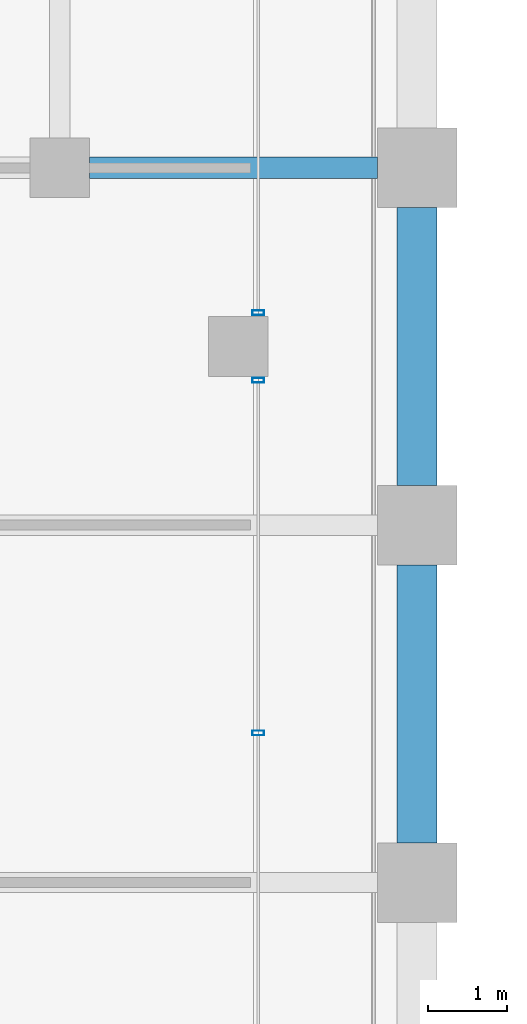
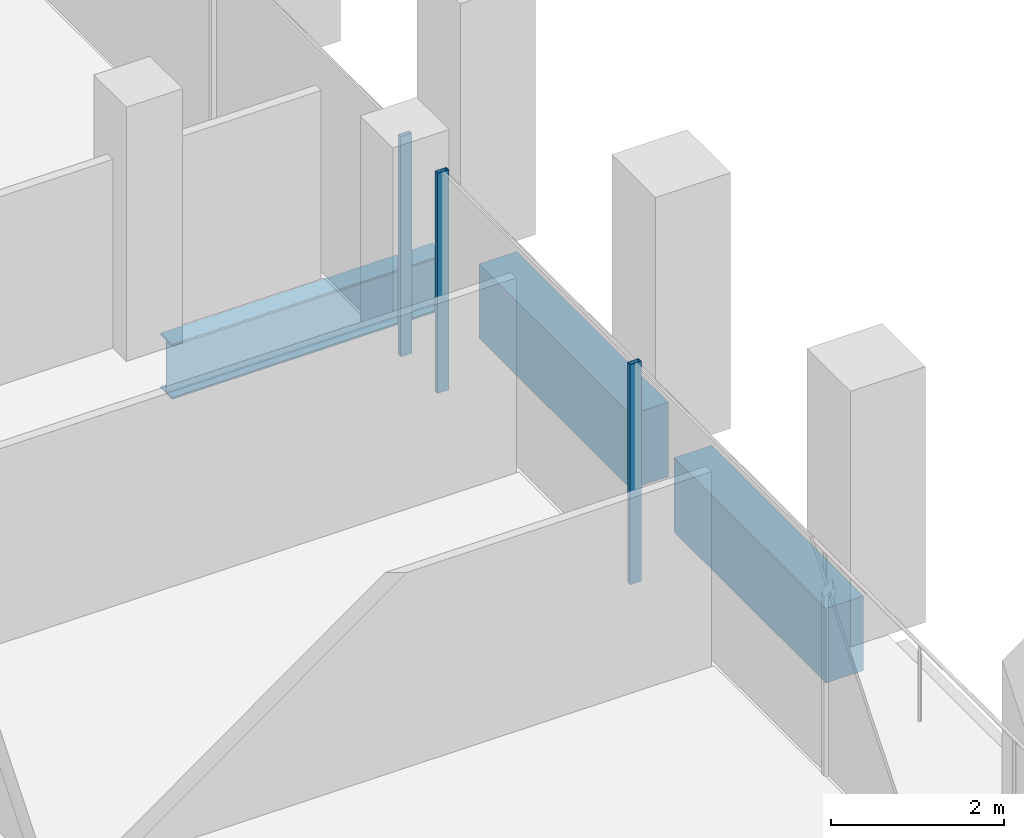
# One storey, part 19 of 47: 3 beams, 3 members, 2 elements without a shape of their own.
"""IFC4 building model written with IfcOpenShell, lengths in metres."""

from ifc_helpers import new_model, si_unit, direction, frame, origin, origin_2d, place, context, subcontext, project, spatial, rectangle, hollow_rectangle, i_section, extrude, material, material_profile, profile_set, type_object, element, aggregate, save


model = new_model("IFC4")

# Units and contexts
model_context = context("Model", 3, precision=1e-05, world=origin(), true_north=direction((0.0, 1.0)))
body_context = subcontext(model_context, "Body", "Model", "MODEL_VIEW")
ifc_project = project(units=[si_unit("LENGTHUNIT", "METRE"), si_unit("AREAUNIT", "SQUARE_METRE"), si_unit("VOLUMEUNIT", "CUBIC_METRE"), si_unit("PLANEANGLEUNIT", "RADIAN"), si_unit("MASSUNIT", "GRAM", prefix="KILO")], contexts=[model_context])

# Site, building, storey
site_placement = place(None, origin())
site = spatial("IfcSite", under=ifc_project, at=site_placement, CompositionType="ELEMENT")
building_placement = place(site_placement, origin())
building = spatial("IfcBuilding", under=site, at=building_placement, Name="Altepetl Exchange Towers", CompositionType="ELEMENT")
storey_placement = place(building_placement, frame((0.0, 0.0, 95.60009765625)))
storey = spatial("IfcBuildingStorey", under=building, at=storey_placement, Name="L23", CompositionType="ELEMENT", Elevation=95.60009765625)

# Beam
ifc_material_1 = material(Name="Steel S355", Category="steel")
ifc_material_profile_1 = material_profile(ifc_material_1, i_section(OverallWidth=0.26806640625, OverallDepth=0.77392578125, WebThickness=0.015380859375, FlangeThickness=0.025390625, at=origin_2d()), Name="W30X132")
ifc_profile_set_1 = profile_set([ifc_material_profile_1], Name="Steel S355")
beam_type_1 = type_object("IfcBeamType", Name="Girder W30X132", PredefinedType="BEAM", material=ifc_profile_set_1)
beam_placement = place(storey_placement, frame((67.875, 58.5, -0.537109375), z_axis=(1.0, 0.0, 0.0), x_axis=(0.0, 1.0, 0.0)))
element("IfcBeam", 1, at=beam_placement, inside=storey, type_object=beam_type_1, Name="gd:A:L23:002", PredefinedType="BEAM", context=body_context, shape_type="SweptSolid", body=[
    extrude(i_section(OverallWidth=0.26806640625, OverallDepth=0.77392578125, WebThickness=0.015380859375, FlangeThickness=0.025390625, at=origin_2d()), origin(), (0.0, 0.0, 1.0), 3.625),
])

# Curtain wall, members
ifc_material_2 = material(Name="Aluminium 6063-T6 glazing", Category="aluminium")
curtain_wall_type = type_object("IfcCurtainWallType", Name="Loggia glazing system", PredefinedType="NOTDEFINED", material=ifc_material_2)
curtain_wall_1_placement = place(storey_placement, origin())
curtain_wall_1 = element("IfcCurtainWall", 2, at=curtain_wall_1_placement, inside=storey, type_object=curtain_wall_type, Name="CW1 run", PredefinedType="NOTDEFINED")
ifc_material_3 = material(Name="Aluminium 6063-T6", Category="aluminium")
ifc_material_profile_2 = material_profile(ifc_material_3, hollow_rectangle(XDim=0.06005859375, YDim=0.14990234375, WallThickness=0.0029296875, at=origin_2d()), Name="Mullion 60x150 aluminium")
ifc_profile_set_2 = profile_set([ifc_material_profile_2], Name="Aluminium 6063-T6")
member_type = type_object("IfcMemberType", Name="Mullion 60x150 aluminium", PredefinedType="MULLION", material=ifc_profile_set_2)
member_1_placement = place(storey_placement, frame((70.0, 51.384033203125, 0.0), z_axis=(0.0, 0.0, 1.0), x_axis=(0.0, 1.0, 0.0)))
member_1 = element("IfcMember", 3, at=member_1_placement, type_object=member_type, Name="MU1 mullion", PredefinedType="MULLION", context=body_context, shape_type="SweptSolid", body=[
    extrude(hollow_rectangle(XDim=0.06005859375, YDim=0.14990234375, WallThickness=0.0029296875, at=origin_2d()), origin(), (0.0, 0.0, 1.0), 3.099853515625),
])
member_2_placement = place(storey_placement, frame((70.0, 55.824951171875, 0.0), z_axis=(0.0, 0.0, 1.0), x_axis=(0.0, 1.0, 0.0)))
member_2 = element("IfcMember", 4, at=member_2_placement, type_object=member_type, Name="MU1 mullion", PredefinedType="MULLION", context=body_context, shape_type="SweptSolid", body=[
    extrude(hollow_rectangle(XDim=0.06005859375, YDim=0.14990234375, WallThickness=0.0029296875, at=origin_2d()), origin(), (0.0, 0.0, 1.0), 3.099853515625),
])
aggregate(curtain_wall_1, [member_1, member_2])

# Curtain wall, member
curtain_wall_2_placement = place(storey_placement, origin())
curtain_wall_2 = element("IfcCurtainWall", 5, at=curtain_wall_2_placement, inside=storey, type_object=curtain_wall_type, Name="CW1 run", PredefinedType="NOTDEFINED")
member_3_placement = place(storey_placement, frame((70.0, 56.675048828125, 0.0), z_axis=(0.0, 0.0, 1.0), x_axis=(0.0, 1.0, 0.0)))
member_3 = element("IfcMember", 6, at=member_3_placement, type_object=member_type, Name="MU1 mullion", PredefinedType="MULLION", context=body_context, shape_type="SweptSolid", body=[
    extrude(hollow_rectangle(XDim=0.06005859375, YDim=0.14990234375, WallThickness=0.0029296875, at=origin_2d()), origin(), (0.0, 0.0, 1.0), 3.099853515625),
])
aggregate(curtain_wall_2, [member_3])

# Beams
ifc_material_4 = material(Name="Concrete C50/60 precast with cantera amarilla facing", Category="concrete")
ifc_material_profile_3 = material_profile(ifc_material_4, rectangle(XDim=0.5, YDim=1.050048828125, at=origin_2d()), Name="500 x 1050")
ifc_profile_set_3 = profile_set([ifc_material_profile_3], Name="Concrete C50/60 precast with cantera amarilla facing")
beam_type_2 = type_object("IfcBeamType", Name="Spandrel beam 500x1050 cantera amarilla", PredefinedType="SPANDREL", material=ifc_profile_set_3)
for number, where, z_axis, x_axis, name in (
    (7, (72.0, 50.0, -0.675048828125), (0.0, 1.0, 0.0), (-1.0, 0.0, 0.0), "sp:A:L23:016"),
    (8, (72.0, 54.5, -0.675048828125), (0.0, 1.0, 0.0), (-1.0, 0.0, 0.0), "sp:A:L23:017"),
):
    element("IfcBeam", number, at=place(storey_placement, frame(where, z_axis=z_axis, x_axis=x_axis)), inside=storey, type_object=beam_type_2, Name=name, PredefinedType="SPANDREL", context=body_context, shape_type="SweptSolid", body=[
        extrude(rectangle(XDim=0.5, YDim=1.050048828125, at=origin_2d()), origin(), (0.0, 0.0, 1.0), 3.5),
    ])

save(model, "model.ifc")
